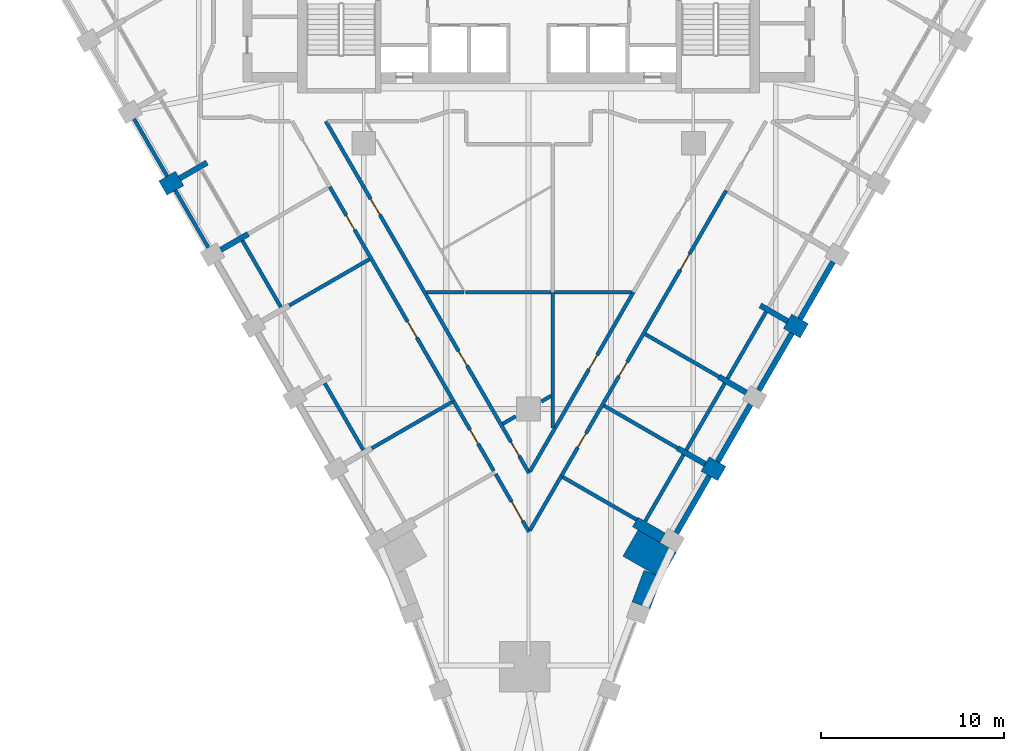
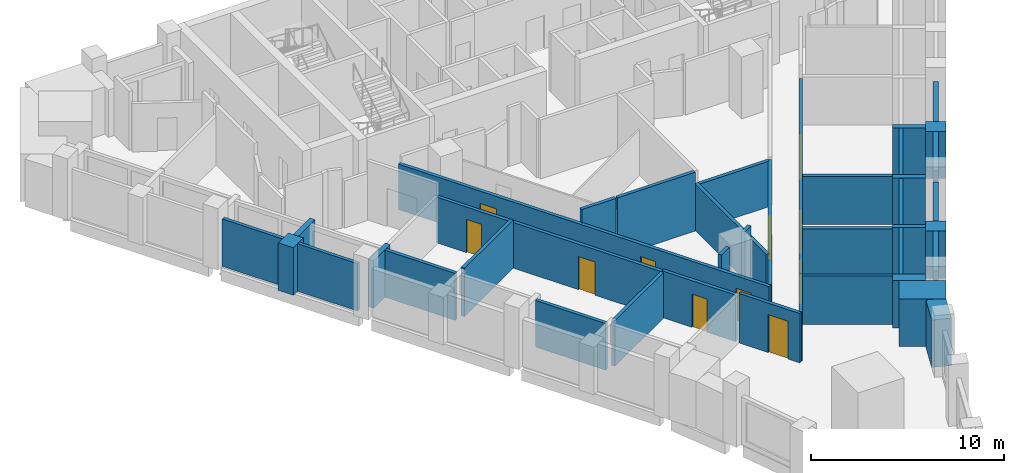
# One storey, part 3 of 10: 40 walls, 11 doors, 11 openings.
"""IFC4 building model written with IfcOpenShell, lengths in metres."""

import ifcopenshell
import ifcopenshell.guid

model = None  # the IFC model being written
_history = None  # IfcOwnerHistory: only IFC2X3 demands one
_inside = {}  # id of a spatial element -> (the spatial element, [elements in it])
_under = {}  # id of a project, library or spatial element -> (it, [spatial elements below it])
_declared = {}  # id of a project -> (the project, [libraries it declares])
_typed = {}  # id of a type object -> (the type object, [elements of that type])
_made_of = {}  # id of a material, layer set ... -> (it, [elements and type objects made of it])


def new_model(schema):
    """Start an empty IFC model of exactly this schema.

    Asked for "IFC4X3", IfcOpenShell would pick the latest addendum, in which some entities
    have other attributes; the version numbers below select the first issue.
    IFC2X3 requires an IfcOwnerHistory on every rooted entity: one is made here for all.
    """
    global model, _history
    if schema == "IFC4X3":
        model = ifcopenshell.file(schema_version=(4, 3, 0, 0))
    else:
        model = ifcopenshell.file(schema=schema)
    _inside.clear()
    _under.clear()
    _declared.clear()
    _typed.clear()
    _made_of.clear()
    _history = None
    if model.schema == "IFC2X3":
        org = make("IfcOrganization", Name="unknown")
        user = make(
            "IfcPersonAndOrganization",
            ThePerson=make("IfcPerson", FamilyName="unknown"),
            TheOrganization=org,
        )
        app = make(
            "IfcApplication",
            ApplicationDeveloper=org,
            Version="unknown",
            ApplicationFullName="unknown",
            ApplicationIdentifier="unknown",
        )
        _history = make(
            "IfcOwnerHistory",
            OwningUser=user,
            OwningApplication=app,
            ChangeAction="ADDED",
            CreationDate=0,
        )
    return model


def make(cls, **values):
    """One entity of the class cls with the attributes given. An attribute that is None is left unset."""
    return model.create_entity(
        cls, **{name: value for name, value in values.items() if value is not None}
    )


def rooted(cls, **values):
    """An entity with a GlobalId (a new one), such as an element, a storey or a relation."""
    return make(cls, GlobalId=ifcopenshell.guid.new(), OwnerHistory=_history, **values)


def si_unit(unit_type, name, prefix=None):
    """IfcSIUnit, for example si_unit("LENGTHUNIT", "METRE", prefix="MILLI")."""
    return make("IfcSIUnit", UnitType=unit_type, Prefix=prefix, Name=name)


def assignment(units):
    """IfcUnitAssignment: the units of a project."""
    return None if units is None else make("IfcUnitAssignment", Units=units)


def point(xyz):
    """IfcCartesianPoint."""
    return None if xyz is None else make("IfcCartesianPoint", Coordinates=xyz)


def direction(xyz):
    """IfcDirection."""
    return None if xyz is None else make("IfcDirection", DirectionRatios=xyz)


def frame(location, z_axis=None, x_axis=None):
    """IfcAxis2Placement3D, a coordinate frame: its origin and axes. An axis left out is left unset."""
    return make(
        "IfcAxis2Placement3D",
        Location=point(location),
        Axis=direction(z_axis),
        RefDirection=direction(x_axis),
    )


def frame_2d(location, x_axis=None):
    """IfcAxis2Placement2D, a coordinate frame in the plane: its origin and x axis."""
    return make(
        "IfcAxis2Placement2D", Location=point(location), RefDirection=direction(x_axis)
    )


def origin():
    """The frame at (0, 0, 0) with its axes left unset."""
    return frame((0.0, 0.0, 0.0))


def place(relative_to, where):
    """IfcLocalPlacement: puts the frame where relative to a parent placement (None: the world)."""
    return make(
        "IfcLocalPlacement", PlacementRelTo=relative_to, RelativePlacement=where
    )


def context(
    kind, dimensions, precision=None, world=None, true_north=None, identifier=None
):
    """IfcGeometricRepresentationContext, for example the 3D "Model" context."""
    return make(
        "IfcGeometricRepresentationContext",
        ContextIdentifier=identifier,
        ContextType=kind,
        CoordinateSpaceDimension=dimensions,
        Precision=precision,
        WorldCoordinateSystem=world,
        TrueNorth=true_north,
    )


def subcontext(parent, identifier, kind, view, scale=None):
    """IfcGeometricRepresentationSubContext, for example "Body" below "Model"."""
    return make(
        "IfcGeometricRepresentationSubContext",
        ContextIdentifier=identifier,
        ContextType=kind,
        ParentContext=parent,
        TargetScale=scale,
        TargetView=view,
    )


def project(units=None, contexts=None):
    """IfcProject with its units and contexts."""
    return rooted(
        "IfcProject",
        Name="project",
        RepresentationContexts=contexts,
        UnitsInContext=assignment(units),
    )


def spatial(cls, under=None, at=None, **own):
    """A site, building, storey or space (cls), placed at a placement, below another one or the project."""
    s = rooted(cls, ObjectPlacement=at, **own)
    if under is not None:
        _under.setdefault(under.id(), (under, []))[1].append(s)
    return s


def polyline(points):
    """IfcPolyline through the points."""
    return make("IfcPolyline", Points=[point(p) for p in points])


def profile(cls, at=None, kind="AREA", **sizes):
    """A parametric profile (cls). Its sizes go by their IFC names, for example OverallWidth=200.0."""
    return make(cls, ProfileType=kind, Position=at, **sizes)


def rectangle(**sizes):
    """IfcRectangleProfileDef."""
    return profile("IfcRectangleProfileDef", **sizes)


def outline(outer, holes=None, kind="AREA"):
    """IfcArbitraryClosedProfileDef: a profile drawn as a closed curve; with holes, ...WithVoids."""
    if holes is None:
        return make("IfcArbitraryClosedProfileDef", ProfileType=kind, OuterCurve=outer)
    return make(
        "IfcArbitraryProfileDefWithVoids",
        ProfileType=kind,
        OuterCurve=outer,
        InnerCurves=holes,
    )


def extrude(swept, where, along, depth):
    """IfcExtrudedAreaSolid: the profile swept, set in the frame where, extruded along a direction by depth."""
    return make(
        "IfcExtrudedAreaSolid",
        SweptArea=swept,
        Position=where,
        ExtrudedDirection=direction(along),
        Depth=depth,
    )


def shape(context_of_items, identifier, shape_type, items):
    """IfcShapeRepresentation: the items that make up one representation, for example the "Body"."""
    return make(
        "IfcShapeRepresentation",
        ContextOfItems=context_of_items,
        RepresentationIdentifier=identifier,
        RepresentationType=shape_type,
        Items=items,
    )


def material(Name=None, Category=None):
    """IfcMaterial."""
    return make("IfcMaterial", Name=Name, Category=Category)


def layer(
    of_material, thickness, ventilated=None, Name=None, Category=None, Priority=None
):
    """IfcMaterialLayer: one layer of a wall or slab, of a material (None: an air gap)."""
    return make(
        "IfcMaterialLayer",
        Material=of_material,
        LayerThickness=thickness,
        IsVentilated=ventilated,
        Name=Name,
        Category=Category,
        Priority=Priority,
    )


def layer_set(layers, Name=None):
    """IfcMaterialLayerSet."""
    return make("IfcMaterialLayerSet", MaterialLayers=layers, LayerSetName=Name)


def made_of(thing, what):
    """Note that an element or type object is made of a material, layer set ...; save() writes the relation."""
    if what is not None:
        _made_of.setdefault(what.id(), (what, []))[1].append(thing)
    return thing


def type_object(cls, material=None, **own):
    """A type object (cls), such as IfcWallType, which elements share."""
    return made_of(rooted(cls, **own), material)


def element(
    cls,
    number,
    at=None,
    inside=None,
    cuts=None,
    type_object=None,
    material=None,
    context=None,
    identifier="Body",
    shape_type=None,
    held_by="IfcProductDefinitionShape",
    body=None,
    shapes=None,
    **own,
):
    """One element of the class cls, such as IfcWall. Its Tag is "e" and its number.

    at: its placement. inside: the storey or other place that contains it. cuts: it is an
    opening in that element (IfcRelVoidsElement). A single representation is given by context,
    identifier, shape_type and body (its items); several are given by shapes. held_by: the class
    of the entity that holds the representations. save() writes the other relations.
    """
    e = rooted(cls, Tag="e%d" % number, ObjectPlacement=at, **own)
    if body is not None:
        shapes = [shape(context, identifier, shape_type, body)]
    if shapes is not None:
        e.Representation = make(held_by, Representations=shapes)
    if inside is not None:
        _inside.setdefault(inside.id(), (inside, []))[1].append(e)
    if cuts is not None:
        rooted(
            "IfcRelVoidsElement", RelatingBuildingElement=cuts, RelatedOpeningElement=e
        )
    if type_object is not None:
        _typed.setdefault(type_object.id(), (type_object, []))[1].append(e)
    return made_of(e, material)


def fill(opening, filler):
    """IfcRelFillsElement: the door or window that sits in an opening."""
    return rooted(
        "IfcRelFillsElement",
        RelatingOpeningElement=opening,
        RelatedBuildingElement=filler,
    )


def aggregate(whole, parts):
    """IfcRelAggregates: a whole, such as a stair, and the parts it consists of."""
    return rooted("IfcRelAggregates", RelatingObject=whole, RelatedObjects=parts)


def save(model, path):
    """Write the relations noted so far, then the file.

    IfcRelAggregates (storeys below a building ...), IfcRelContainedInSpatialStructure (elements
    in a storey), IfcRelDefinesByType, IfcRelAssociatesMaterial and IfcRelDeclares: one each for
    every whole, place, type object, material and project.
    """
    for whole, parts in _under.values():
        aggregate(whole, parts)
    for where, things in _inside.values():
        rooted(
            "IfcRelContainedInSpatialStructure",
            RelatedElements=things,
            RelatingStructure=where,
        )
    for kind, things in _typed.values():
        rooted("IfcRelDefinesByType", RelatedObjects=things, RelatingType=kind)
    for what, things in _made_of.values():
        rooted("IfcRelAssociatesMaterial", RelatedObjects=things, RelatingMaterial=what)
    for by, libraries in _declared.values():
        rooted("IfcRelDeclares", RelatingContext=by, RelatedDefinitions=libraries)
    model.write(path)


model = new_model("IFC4")

# Units and contexts
model_context = context("Model", 3, precision=1e-05, world=origin(), true_north=direction((0.0, 1.0)))
body_context = subcontext(model_context, "Body", "Model", "MODEL_VIEW")
ifc_project = project(units=[si_unit("LENGTHUNIT", "METRE"), si_unit("AREAUNIT", "SQUARE_METRE"), si_unit("VOLUMEUNIT", "CUBIC_METRE"), si_unit("PLANEANGLEUNIT", "RADIAN"), si_unit("MASSUNIT", "GRAM", prefix="KILO")], contexts=[model_context])

# Site, building, storey
site_placement = place(None, origin())
site = spatial("IfcSite", under=ifc_project, at=site_placement, CompositionType="ELEMENT")
building_placement = place(site_placement, origin())
building = spatial("IfcBuilding", under=site, at=building_placement, Name="Calabash Gate Tower", CompositionType="ELEMENT")
storey_placement = place(building_placement, frame((0.0, 0.0, 148.5)))
storey = spatial("IfcBuildingStorey", under=building, at=storey_placement, Name="L34", CompositionType="ELEMENT", Elevation=148.5)

# Walls
ifc_material_1 = material(Name="Terracotta brick masonry, exposed face", Category="masonry")
ifc_layer_1 = layer(ifc_material_1, 2.425048828125)
ifc_layer_set_1 = layer_set([ifc_layer_1], Name="Brick corner mass wall 2425")
wall_type_1 = type_object("IfcWallType", Name="Brick corner mass wall 2425", PredefinedType="SOLIDWALL", material=ifc_layer_set_1)
wall_1_placement = place(storey_placement, origin())
element("IfcWall", 1, at=wall_1_placement, inside=storey, type_object=wall_type_1, Name="Brick corner pier S09 2", PredefinedType="SOLIDWALL", context=body_context, shape_type="SweptSolid", body=[
    extrude(outline(polyline([(8.0751953125, -19.819091796875), (5.97509765625, -18.6064453125), (5.14990234375, -20.035888671875), (7.25, -21.248291015625), (8.0751953125, -19.819091796875)])), origin(), (0.0, 0.0, 1.0), 3.0),
])
ifc_material_2 = material(Name="Terracotta brick masonry, exposed face", Category="masonry")
ifc_layer_2 = layer(ifc_material_2, 1.050048828125)
ifc_layer_set_2 = layer_set([ifc_layer_2], Name="Brick end wall 1050")
wall_type_2 = type_object("IfcWallType", Name="Brick end wall 1050", PredefinedType="SOLIDWALL", material=ifc_layer_set_2)
for number, where, z_axis, x_axis, name in (
    (2, (-19.959716796875, 0.05615234375, 0.0), (0.0, 0.0, 1.0), (0.865988129768, 0.500064554934, 0.0), "Brick pier S09 SW0.3"),
    (3, (9.640869140625, -15.00732421875, 0.0), (0.0, 0.0, 1.0), (0.866088799389, -0.499890179513, 0.0), "Brick pier S09 SE4.1"),
    (4, (15.05029296875, -7.738037109375, 0.0), (0.0, 0.0, 1.0), (-0.865988129768, 0.500064554934, 0.0), "Brick pier S09 SE4.3"),
):
    element("IfcWall", number, at=place(storey_placement, frame(where, z_axis=z_axis, x_axis=x_axis)), inside=storey, type_object=wall_type_2, Name=name, PredefinedType="SOLIDWALL", context=body_context, shape_type="SweptSolid", body=[
        extrude(rectangle(XDim=1.050048828125, YDim=0.89990234375, at=frame_2d((0.52490234375, 0.0))), origin(), (0.0, 0.0, 1.0), 3.0),
    ])
wall_2_placement = place(storey_placement, origin())
element("IfcWall", 5, at=wall_2_placement, inside=storey, type_object=wall_type_2, Name="Brick end wall S09 3", PredefinedType="SOLIDWALL", context=body_context, shape_type="SweptSolid", body=[
    extrude(outline(polyline([(6.303955078125, -20.80126953125), (5.653564453125, -22.53125), (5.65380859375, -22.53125), (5.65380859375, -22.531005859375), (6.636474609375, -22.900390625), (7.271484375, -21.2109375), (7.25, -21.248291015625), (6.795166015625, -20.98583984375), (6.303955078125, -20.80126953125)])), origin(), (0.0, 0.0, 1.0), 3.0),
])
ifc_material_3 = material(Name="Terracotta brick masonry, exposed face", Category="masonry")
ifc_layer_3 = layer(ifc_material_3, 0.300048828125)
ifc_layer_set_3 = layer_set([ifc_layer_3], Name="Brick infill panel wall 300")
wall_type_3 = type_object("IfcWallType", Name="Brick infill panel wall 300", PredefinedType="SOLIDWALL", material=ifc_layer_set_3)
wall_3_placement = place(storey_placement, frame((8.070556640625, -18.777099609375, 0.0), z_axis=(0.0, 0.0, 1.0), x_axis=(0.500012057535, 0.866018442252, 0.0)))
element("IfcWall", 6, at=wall_3_placement, inside=storey, type_object=wall_type_3, Name="Brick panel S09 SE4.1", PredefinedType="SOLIDWALL", context=body_context, shape_type="SweptSolid", body=[
    extrude(rectangle(XDim=3.60009765625, YDim=0.300048828125, at=frame_2d((1.800048828125, 0.0))), origin(), (0.0, 0.0, 1.0), 3.0),
])
wall_4_placement = place(storey_placement, frame((10.320556640625, -14.8798828125, 0.0), z_axis=(0.0, 0.0, 1.0), x_axis=(0.500012057535, 0.866018442252, 0.0)))
element("IfcWall", 7, at=wall_4_placement, inside=storey, type_object=wall_type_3, Name="Brick panel S09 SE4.2", PredefinedType="SOLIDWALL", context=body_context, shape_type="SweptSolid", body=[
    extrude(rectangle(XDim=3.60009765625, YDim=0.300048828125, at=frame_2d((1.800048828125, 0.0))), origin(), (0.0, 0.0, 1.0), 2.9501953125),
])
for number, where, z_axis, x_axis, name in (
    (8, (12.570556640625, -10.98291015625, 0.0), (0.0, 0.0, 1.0), (0.500012057535, 0.866018442252, 0.0), "Brick panel S09 SE4.3"),
    (9, (14.820556640625, -7.085693359375, 0.0), (0.0, 0.0, 1.0), (0.500012057535, 0.866018442252, 0.0), "Brick panel S09 SE4.4"),
):
    element("IfcWall", number, at=place(storey_placement, frame(where, z_axis=z_axis, x_axis=x_axis)), inside=storey, type_object=wall_type_3, Name=name, PredefinedType="SOLIDWALL", context=body_context, shape_type="SweptSolid", body=[
        extrude(rectangle(XDim=3.60009765625, YDim=0.300048828125, at=frame_2d((1.800048828125, 0.0))), origin(), (0.0, 0.0, 1.0), 3.0),
    ])
ifc_material_4 = material(Name="Terracotta brick masonry, exposed face", Category="masonry")
ifc_layer_4 = layer(ifc_material_4, 0.300048828125)
ifc_layer_set_4 = layer_set([ifc_layer_4], Name="Brick loggia cheek wall 300")
wall_type_4 = type_object("IfcWallType", Name="Brick loggia cheek wall 300", PredefinedType="SOLIDWALL", material=ifc_layer_set_4)
wall_5_placement = place(storey_placement, frame((-19.05029296875, 0.581298828125, 0.0), z_axis=(0.0, 0.0, 1.0), x_axis=(0.866013532718, 0.500020560727, 0.0)))
element("IfcWall", 10, at=wall_5_placement, inside=storey, type_object=wall_type_4, Name="Loggia cheek S09 SW0.3", PredefinedType="SOLIDWALL", context=body_context, shape_type="SweptSolid", body=[
    extrude(rectangle(XDim=1.72509765625, YDim=0.300048828125, at=frame_2d((0.862548828125, 0.0))), origin(), (0.0, 0.0, 1.0), 3.0),
])
wall_6_placement = place(storey_placement, frame((-16.798583984375, -3.31494140625, 0.0), z_axis=(0.0, 0.0, 1.0), x_axis=(0.866010975815, 0.500024989144, 0.0)))
element("IfcWall", 11, at=wall_6_placement, inside=storey, type_object=wall_type_4, Name="Loggia cheek S09 SW0.4", PredefinedType="SOLIDWALL", context=body_context, shape_type="SweptSolid", body=[
    extrude(rectangle(XDim=1.72314453125, YDim=0.300048828125, at=frame_2d((0.861572265625, 0.0))), origin(), (0.0, 0.0, 1.0), 3.0),
])
wall_7_placement = place(storey_placement, frame((7.31591796875, -19.0341796875, 0.0), z_axis=(0.0, 0.0, 1.0), x_axis=(-0.866013532718, 0.500020560727, 0.0)))
element("IfcWall", 12, at=wall_7_placement, inside=storey, type_object=wall_type_4, Name="Loggia cheek S09 SE4.0", PredefinedType="SOLIDWALL", context=body_context, shape_type="SweptSolid", body=[
    extrude(rectangle(XDim=1.72509765625, YDim=0.60009765625, at=frame_2d((0.862548828125, 0.0))), origin(), (0.0, 0.0, 1.0), 3.0),
])
for number, where, z_axis, x_axis, name in (
    (13, (9.640869140625, -15.00732421875, 0.0), (0.0, 0.0, 1.0), (-0.866013532718, 0.500020560727, 0.0), "Loggia cheek S09 SE4.1"),
    (14, (11.890869140625, -11.110107421875, 0.0), (0.0, 0.0, 1.0), (-0.866013532718, 0.500020560727, 0.0), "Loggia cheek S09 SE4.2"),
):
    element("IfcWall", number, at=place(storey_placement, frame(where, z_axis=z_axis, x_axis=x_axis)), inside=storey, type_object=wall_type_4, Name=name, PredefinedType="SOLIDWALL", context=body_context, shape_type="SweptSolid", body=[
        extrude(rectangle(XDim=1.72509765625, YDim=0.300048828125, at=frame_2d((0.862548828125, 0.0))), origin(), (0.0, 0.0, 1.0), 3.0),
    ])
wall_8_placement = place(storey_placement, frame((12.64697265625, -6.3505859375, 0.0), z_axis=(0.0, 0.0, 1.0), x_axis=(0.866074815912, -0.499914405916, 0.0)))
element("IfcWall", 15, at=wall_8_placement, inside=storey, type_object=wall_type_4, Name="Loggia cheek S09 SE4.3", PredefinedType="SOLIDWALL", context=body_context, shape_type="SweptSolid", body=[
    extrude(rectangle(XDim=1.724853515625, YDim=0.300048828125, at=frame_2d((0.8623046875, 0.0))), origin(), (0.0, 0.0, 1.0), 3.0),
])

# Wall, opening, door
ifc_material_5 = material(Name="Gypsum board on steel studs, mineral wool", Category="steel")
ifc_layer_5 = layer(ifc_material_5, 0.199951171875)
ifc_layer_set_5 = layer_set([ifc_layer_5], Name="Partition 200 gypsum board EI 60")
wall_type_5 = type_object("IfcWallType", Name="Partition 200 gypsum board EI 60", PredefinedType="PARTITIONING", material=ifc_layer_set_5)
wall_9_placement = place(storey_placement, frame((-1.7978515625, -15.5546875, 0.0), z_axis=(0.0, 0.0, 1.0), x_axis=(0.500381369408, -0.865805108064, 0.0)))
wall_9 = element("IfcWall", 16, at=wall_9_placement, inside=storey, type_object=wall_type_5, Name="Partition", PredefinedType="PARTITIONING", context=body_context, shape_type="SweptSolid", body=[
    extrude(rectangle(XDim=3.645263671875, YDim=0.199951171875, at=frame_2d((1.82275390625, 0.0))), origin(), (0.0, 0.0, 1.0), 3.1279296875),
])
opening_1_placement = place(wall_9_placement, frame((1.74462890625, 0.0, 0.0)))
opening_1 = element("IfcOpeningElement", 17, at=opening_1_placement, cuts=wall_9, Name="Opening 33-35-016", PredefinedType="OPENING", context=body_context, shape_type="SweptSolid", body=[
    extrude(rectangle(XDim=1.199951171875, YDim=2.39990234375, at=frame_2d((0.60009765625, 1.199951171875))), frame((0.0, 0.10986328125, 0.0), z_axis=(0.0, -1.0, 0.0), x_axis=(1.0, 0.0, 0.0)), (0.0, 0.0, 1.0), 0.219970703125),
])
ifc_material_6 = material(Name="Steel fire door set with fire-resisting glazing", Category="steel")
door_type_1 = type_object("IfcDoorType", Name="OD3 Boardroom door 1200x2400", OperationType="NOTDEFINED", PredefinedType="DOOR", material=ifc_material_6)
door_1_placement = place(opening_1_placement, origin())
door_1 = element("IfcDoor", 18, at=door_1_placement, inside=storey, type_object=door_type_1, Name="Boardroom door", OperationType="SINGLE_SWING_RIGHT", OverallHeight=2.39990234375, OverallWidth=1.199951171875, PredefinedType="DOOR", context=body_context, shape_type="SweptSolid", body=[
    extrude(rectangle(XDim=1.199951171875, YDim=2.39990234375, at=frame_2d((0.60009765625, 1.199951171875))), frame((0.0, 0.02490234375, 0.0), z_axis=(0.0, -1.0, 0.0), x_axis=(1.0, 0.0, 0.0)), (0.0, 0.0, 1.0), 0.050048828125),
])
fill(opening_1, door_1)

# Walls
wall_10_placement = place(storey_placement, frame((1.869384765625, -15.71875, 0.0), z_axis=(0.0, 0.0, 1.0), x_axis=(0.866183837695, -0.499725483956, 0.0)))
element("IfcWall", 19, at=wall_10_placement, inside=storey, type_object=wall_type_5, Name="Partition", PredefinedType="PARTITIONING", context=body_context, shape_type="SweptSolid", body=[
    extrude(rectangle(XDim=4.6494140625, YDim=0.199951171875, at=frame_2d((2.32470703125, 0.0))), origin(), (0.0, 0.0, 1.0), 3.052001953125),
])
wall_11_placement = place(storey_placement, frame((0.076171875, -18.624267578125, 0.0), z_axis=(0.0, 0.0, 1.0), x_axis=(0.500452706258, 0.865763875892, 0.0)))
element("IfcWall", 20, at=wall_11_placement, inside=storey, type_object=wall_type_5, Name="Partition", PredefinedType="PARTITIONING", context=body_context, shape_type="SweptSolid", body=[
    extrude(rectangle(XDim=3.414306640625, YDim=0.199951171875, at=frame_2d((1.70703125, 0.0))), origin(), (0.0, 0.0, 1.0), 3.1279296875),
])

# Wall, opening, door
wall_12_placement = place(storey_placement, frame((0.076171875, -15.423095703125, 0.0), z_axis=(0.0, 0.0, 1.0), x_axis=(0.499393409799, 0.866375335666, 0.0)))
wall_12 = element("IfcWall", 21, at=wall_12_placement, inside=storey, type_object=wall_type_5, Name="Partition", PredefinedType="PARTITIONING", context=body_context, shape_type="SweptSolid", body=[
    extrude(rectangle(XDim=11.30615234375, YDim=0.199951171875, at=frame_2d((5.653076171875, 0.0))), origin(), (0.0, 0.0, 1.0), 2.884033203125),
])
opening_2_placement = place(wall_12_placement, frame((6.455078125, 0.0, 0.0)))
opening_2 = element("IfcOpeningElement", 22, at=opening_2_placement, cuts=wall_12, Name="Opening 33-35-011", PredefinedType="OPENING", context=body_context, shape_type="SweptSolid", body=[
    extrude(rectangle(XDim=0.89990234375, YDim=2.10009765625, at=frame_2d((0.449951171875, 1.050048828125))), frame((0.0, 0.10986328125, 0.0), z_axis=(0.0, -1.0, 0.0), x_axis=(1.0, 0.0, 0.0)), (0.0, 0.0, 1.0), 0.219970703125),
])
ifc_material_7 = material(Name="Steel fire door set with fire-resisting glazing", Category="steel")
door_type_2 = type_object("IfcDoorType", Name="SD3 Store door 900x2100", OperationType="NOTDEFINED", PredefinedType="DOOR", material=ifc_material_7)
door_2_placement = place(opening_2_placement, origin())
door_2 = element("IfcDoor", 23, at=door_2_placement, inside=storey, type_object=door_type_2, Name="Store door", OperationType="SINGLE_SWING_RIGHT", OverallHeight=2.10009765625, OverallWidth=0.89990234375, PredefinedType="DOOR", context=body_context, shape_type="SweptSolid", body=[
    extrude(rectangle(XDim=0.89990234375, YDim=2.10009765625, at=frame_2d((0.449951171875, 1.050048828125))), frame((0.0, 0.02490234375, 0.0), z_axis=(0.0, -1.0, 0.0), x_axis=(1.0, 0.0, 0.0)), (0.0, 0.0, 1.0), 0.050048828125),
])
fill(opening_2, door_2)

wall_13_placement = place(storey_placement, frame((-4.09716796875, -11.572509765625, 0.0), z_axis=(0.0, 0.0, 1.0), x_axis=(0.500013981145, -0.866017331616, 0.0)))
wall_13 = element("IfcWall", 24, at=wall_13_placement, inside=storey, type_object=wall_type_5, Name="Partition", PredefinedType="PARTITIONING", context=body_context, shape_type="SweptSolid", body=[
    extrude(rectangle(XDim=4.397705078125, YDim=0.199951171875, at=frame_2d((2.19873046875, 0.0))), origin(), (0.0, 0.0, 1.0), 2.9501953125),
])
opening_3_placement = place(wall_13_placement, frame((1.798095703125, 0.0, 0.0)))
opening_3 = element("IfcOpeningElement", 25, at=opening_3_placement, cuts=wall_13, Name="Opening 33-35-003", PredefinedType="OPENING", context=body_context, shape_type="SweptSolid", body=[
    extrude(rectangle(XDim=0.89990234375, YDim=2.10009765625, at=frame_2d((0.449951171875, 1.050048828125))), frame((0.0, 0.10986328125, 0.0), z_axis=(0.0, -1.0, 0.0), x_axis=(1.0, 0.0, 0.0)), (0.0, 0.0, 1.0), 0.219970703125),
])
door_3_placement = place(opening_3_placement, origin())
door_3 = element("IfcDoor", 26, at=door_3_placement, inside=storey, type_object=door_type_2, Name="Store door", OperationType="SINGLE_SWING_LEFT", OverallHeight=2.10009765625, OverallWidth=0.89990234375, PredefinedType="DOOR", context=body_context, shape_type="SweptSolid", body=[
    extrude(rectangle(XDim=0.89990234375, YDim=2.10009765625, at=frame_2d((0.449951171875, 1.050048828125))), frame((0.0, 0.02490234375, 0.0), z_axis=(0.0, -1.0, 0.0), x_axis=(1.0, 0.0, 0.0)), (0.0, 0.0, 1.0), 0.050048828125),
])
fill(opening_3, door_3)

# Walls
wall_14_placement = place(storey_placement, frame((-1.412841796875, -12.813720703125, 0.0), z_axis=(0.0, 0.0, 1.0), x_axis=(0.866906303058, 0.498471124258, 0.0)))
element("IfcWall", 27, at=wall_14_placement, inside=storey, type_object=wall_type_5, Name="Partition", PredefinedType="PARTITIONING", context=body_context, shape_type="SweptSolid", body=[
    extrude(rectangle(XDim=0.822265625, YDim=0.199951171875, at=frame_2d((0.4111328125, 0.0))), origin(), (0.0, 0.0, 1.0), 3.72998046875),
])
wall_15_placement = place(storey_placement, frame((4.12109375, -11.818115234375, 0.0), z_axis=(0.0, 0.0, 1.0), x_axis=(0.865845361661, -0.500311712526, 0.0)))
element("IfcWall", 28, at=wall_15_placement, inside=storey, type_object=wall_type_5, Name="Partition", PredefinedType="PARTITIONING", context=body_context, shape_type="SweptSolid", body=[
    extrude(rectangle(XDim=4.64990234375, YDim=0.199951171875, at=frame_2d((2.324951171875, 0.0))), origin(), (0.0, 0.0, 1.0), 2.884033203125),
])
wall_16_placement = place(storey_placement, frame((-8.556396484375, -14.14501953125, 0.0), z_axis=(0.0, 0.0, 1.0), x_axis=(0.866191221831, 0.499712684673, 0.0)))
element("IfcWall", 29, at=wall_16_placement, inside=storey, type_object=wall_type_5, Name="Partition", PredefinedType="PARTITIONING", context=body_context, shape_type="SweptSolid", body=[
    extrude(rectangle(XDim=5.04833984375, YDim=0.199951171875, at=frame_2d((2.524169921875, 0.0))), origin(), (0.0, 0.0, 1.0), 2.884033203125),
])
wall_17_placement = place(storey_placement, frame((0.699951171875, -11.595703125, 0.0), z_axis=(0.0, 0.0, 1.0), x_axis=(0.866015917575, 0.500016430238, 0.0)))
element("IfcWall", 30, at=wall_17_placement, inside=storey, type_object=wall_type_5, Name="Partition", PredefinedType="PARTITIONING", context=body_context, shape_type="SweptSolid", body=[
    extrude(rectangle(XDim=0.623046875, YDim=0.199951171875, at=frame_2d((0.3115234375, 0.0))), origin(), (0.0, 0.0, 1.0), 3.72998046875),
])

# Wall, openings, doors
wall_18_placement = place(storey_placement, frame((-10.84814453125, 0.12060546875, 0.0), z_axis=(0.0, 0.0, 1.0), x_axis=(0.499997969693, -0.866026575979, 0.0)))
wall_18 = element("IfcWall", 31, at=wall_18_placement, inside=storey, type_object=wall_type_5, Name="Partition", PredefinedType="PARTITIONING", context=body_context, shape_type="SweptSolid", body=[
    extrude(rectangle(XDim=13.5, YDim=0.199951171875, at=frame_2d((6.75, 0.0))), origin(), (0.0, 0.0, 1.0), 2.884033203125),
])
opening_4_placement = place(wall_18_placement, frame((1.7998046875, 0.0, 0.0)))
opening_4 = element("IfcOpeningElement", 32, at=opening_4_placement, cuts=wall_18, Name="Opening 33-35-001", PredefinedType="OPENING", context=body_context, shape_type="SweptSolid", body=[
    extrude(rectangle(XDim=0.89990234375, YDim=2.10009765625, at=frame_2d((0.449951171875, 1.050048828125))), frame((0.0, 0.10986328125, 0.0), z_axis=(0.0, -1.0, 0.0), x_axis=(1.0, 0.0, 0.0)), (0.0, 0.0, 1.0), 0.219970703125),
])
opening_5_placement = place(wall_18_placement, frame((8.5, 0.0, 0.0)))
opening_5 = element("IfcOpeningElement", 33, at=opening_5_placement, cuts=wall_18, Name="Opening 33-35-002", PredefinedType="OPENING", context=body_context, shape_type="SweptSolid", body=[
    extrude(rectangle(XDim=1.0, YDim=2.10009765625, at=frame_2d((0.5, 1.050048828125))), frame((0.0, 0.10986328125, 0.0), z_axis=(0.0, -1.0, 0.0), x_axis=(1.0, 0.0, 0.0)), (0.0, 0.0, 1.0), 0.219970703125),
])
ifc_material_8 = material(Name="Steel fire door set with fire-resisting glazing", Category="steel")
door_type_3 = type_object("IfcDoorType", Name="LD2 Meeting room door 1000x2100", OperationType="NOTDEFINED", PredefinedType="DOOR", material=ifc_material_8)
door_4_placement = place(opening_5_placement, origin())
door_4 = element("IfcDoor", 34, at=door_4_placement, inside=storey, type_object=door_type_3, Name="Meeting room door", OperationType="SINGLE_SWING_RIGHT", OverallHeight=2.10009765625, OverallWidth=1.0, PredefinedType="DOOR", context=body_context, shape_type="SweptSolid", body=[
    extrude(rectangle(XDim=1.0, YDim=2.10009765625, at=frame_2d((0.5, 1.050048828125))), frame((0.0, 0.02490234375, 0.0), z_axis=(0.0, -1.0, 0.0), x_axis=(1.0, 0.0, 0.0)), (0.0, 0.0, 1.0), 0.050048828125),
])
fill(opening_5, door_4)
ifc_material_9 = material(Name="Painted timber door", Category="wood")
door_type_4 = type_object("IfcDoorType", Name="OD1 Office door 900x2100", OperationType="NOTDEFINED", PredefinedType="DOOR", material=ifc_material_9)
door_5_placement = place(opening_4_placement, origin())
door_5 = element("IfcDoor", 35, at=door_5_placement, inside=storey, type_object=door_type_4, Name="Office door", OperationType="SINGLE_SWING_RIGHT", OverallHeight=2.10009765625, OverallWidth=0.89990234375, PredefinedType="DOOR", context=body_context, shape_type="SweptSolid", body=[
    extrude(rectangle(XDim=0.89990234375, YDim=2.10009765625, at=frame_2d((0.449951171875, 1.050048828125))), frame((0.0, 0.02490234375, 0.0), z_axis=(0.0, -1.0, 0.0), x_axis=(1.0, 0.0, 0.0)), (0.0, 0.0, 1.0), 0.050048828125),
])
fill(opening_4, door_5)

# Walls
wall_19_placement = place(storey_placement, frame((6.37109375, -7.9208984375, 0.0), z_axis=(0.0, 0.0, 1.0), x_axis=(0.865845361661, -0.500311712526, 0.0)))
element("IfcWall", 36, at=wall_19_placement, inside=storey, type_object=wall_type_5, Name="Partition", PredefinedType="PARTITIONING", context=body_context, shape_type="SweptSolid", body=[
    extrude(rectangle(XDim=4.64990234375, YDim=0.199951171875, at=frame_2d((2.324951171875, 0.0))), origin(), (0.0, 0.0, 1.0), 3.052001953125),
])
wall_20_placement = place(storey_placement, frame((-5.577392578125, -5.627197265625, 0.0), z_axis=(0.0, 0.0, 1.0), x_axis=(1.0, 0.0, 0.0)))
element("IfcWall", 37, at=wall_20_placement, inside=storey, type_object=wall_type_5, Name="Partition", PredefinedType="PARTITIONING", context=body_context, shape_type="SweptSolid", body=[
    extrude(rectangle(XDim=2.04150390625, YDim=0.199951171875, at=frame_2d((1.020751953125, 0.0))), origin(), (0.0, 0.0, 1.0), 3.72998046875),
])
wall_21_placement = place(storey_placement, frame((-3.434814453125, -5.62890625, 0.0), z_axis=(0.0, 0.0, 1.0), x_axis=(0.999999932729, 0.000366799388, 0.0)))
element("IfcWall", 38, at=wall_21_placement, inside=storey, type_object=wall_type_5, Name="Partition", PredefinedType="PARTITIONING", context=body_context, shape_type="SweptSolid", body=[
    extrude(rectangle(XDim=4.6591796875, YDim=0.199951171875, at=frame_2d((2.32958984375, 0.0))), origin(), (0.0, 0.0, 1.0), 3.72998046875),
])
wall_22_placement = place(storey_placement, frame((1.328125, -13.05078125, 0.0), z_axis=(0.0, 0.0, 1.0), x_axis=(0.0, 1.0, 0.0)))
element("IfcWall", 39, at=wall_22_placement, inside=storey, type_object=wall_type_5, Name="Partition", PredefinedType="PARTITIONING", context=body_context, shape_type="SweptSolid", body=[
    extrude(rectangle(XDim=7.419921875, YDim=0.199951171875, at=frame_2d((3.7099609375, 0.0))), origin(), (0.0, 0.0, 1.0), 2.9501953125),
])
wall_23_placement = place(storey_placement, frame((1.42822265625, -5.630859375, 0.0), z_axis=(0.0, 0.0, 1.0), x_axis=(1.0, 0.0, 0.0)))
element("IfcWall", 40, at=wall_23_placement, inside=storey, type_object=wall_type_5, Name="Partition", PredefinedType="PARTITIONING", context=body_context, shape_type="SweptSolid", body=[
    extrude(rectangle(XDim=4.199462890625, YDim=0.199951171875, at=frame_2d((2.099609375, 0.0))), origin(), (0.0, 0.0, 1.0), 2.884033203125),
])
wall_24_placement = place(storey_placement, frame((-13.056396484375, -6.3505859375, 0.0), z_axis=(0.0, 0.0, 1.0), x_axis=(0.866221803303, 0.49965967166, 0.0)))
element("IfcWall", 41, at=wall_24_placement, inside=storey, type_object=wall_type_5, Name="Partition", PredefinedType="PARTITIONING", context=body_context, shape_type="SweptSolid", body=[
    extrude(rectangle(XDim=5.0498046875, YDim=0.199951171875, at=frame_2d((2.52490234375, 0.0))), origin(), (0.0, 0.0, 1.0), 3.052001953125),
])

# Wall, openings, doors
wall_25_placement = place(storey_placement, frame((1.78515625, -15.667724609375, 0.0), z_axis=(0.0, 0.0, 1.0), x_axis=(0.5000018851, 0.866024315419, 0.0)))
wall_25 = element("IfcWall", 42, at=wall_25_placement, inside=storey, type_object=wall_type_5, Name="Partition", PredefinedType="PARTITIONING", context=body_context, shape_type="SweptSolid", body=[
    extrude(rectangle(XDim=18.0, YDim=0.199951171875, at=frame_2d((9.0, 0.0))), origin(), (0.0, 0.0, 1.0), 2.884033203125),
])
opening_6_placement = place(wall_25_placement, frame((1.7998046875, 0.0, 0.0)))
opening_6 = element("IfcOpeningElement", 43, at=opening_6_placement, cuts=wall_25, Name="Opening 33-35-004", PredefinedType="OPENING", context=body_context, shape_type="SweptSolid", body=[
    extrude(rectangle(XDim=0.89990234375, YDim=2.10009765625, at=frame_2d((0.449951171875, 1.050048828125))), frame((0.0, 0.10986328125, 0.0), z_axis=(0.0, -1.0, 0.0), x_axis=(1.0, 0.0, 0.0)), (0.0, 0.0, 1.0), 0.219970703125),
])
opening_7_placement = place(wall_25_placement, frame((6.300048828125, 0.0, 0.0)))
opening_7 = element("IfcOpeningElement", 44, at=opening_7_placement, cuts=wall_25, Name="Opening 33-35-005", PredefinedType="OPENING", context=body_context, shape_type="SweptSolid", body=[
    extrude(rectangle(XDim=0.89990234375, YDim=2.10009765625, at=frame_2d((0.449951171875, 1.050048828125))), frame((0.0, 0.10986328125, 0.0), z_axis=(0.0, -1.0, 0.0), x_axis=(1.0, 0.0, 0.0)), (0.0, 0.0, 1.0), 0.219970703125),
])
opening_8_placement = place(wall_25_placement, frame((13.0, 0.0, 0.0)))
opening_8 = element("IfcOpeningElement", 45, at=opening_8_placement, cuts=wall_25, Name="Opening 33-35-006", PredefinedType="OPENING", context=body_context, shape_type="SweptSolid", body=[
    extrude(rectangle(XDim=1.0, YDim=2.10009765625, at=frame_2d((0.5, 1.050048828125))), frame((0.0, 0.10986328125, 0.0), z_axis=(0.0, -1.0, 0.0), x_axis=(1.0, 0.0, 0.0)), (0.0, 0.0, 1.0), 0.219970703125),
])
door_6_placement = place(opening_8_placement, origin())
door_6 = element("IfcDoor", 46, at=door_6_placement, inside=storey, type_object=door_type_3, Name="Meeting room door", OperationType="SINGLE_SWING_RIGHT", OverallHeight=2.10009765625, OverallWidth=1.0, PredefinedType="DOOR", context=body_context, shape_type="SweptSolid", body=[
    extrude(rectangle(XDim=1.0, YDim=2.10009765625, at=frame_2d((0.5, 1.050048828125))), frame((0.0, 0.02490234375, 0.0), z_axis=(0.0, -1.0, 0.0), x_axis=(1.0, 0.0, 0.0)), (0.0, 0.0, 1.0), 0.050048828125),
])
fill(opening_8, door_6)
door_7_placement = place(opening_6_placement, origin())
door_7 = element("IfcDoor", 47, at=door_7_placement, inside=storey, type_object=door_type_4, Name="Office door", OperationType="SINGLE_SWING_RIGHT", OverallHeight=2.10009765625, OverallWidth=0.89990234375, PredefinedType="DOOR", context=body_context, shape_type="SweptSolid", body=[
    extrude(rectangle(XDim=0.89990234375, YDim=2.10009765625, at=frame_2d((0.449951171875, 1.050048828125))), frame((0.0, 0.02490234375, 0.0), z_axis=(0.0, -1.0, 0.0), x_axis=(1.0, 0.0, 0.0)), (0.0, 0.0, 1.0), 0.050048828125),
])
fill(opening_6, door_7)
door_8_placement = place(opening_7_placement, origin())
door_8 = element("IfcDoor", 48, at=door_8_placement, inside=storey, type_object=door_type_4, Name="Office door", OperationType="SINGLE_SWING_RIGHT", OverallHeight=2.10009765625, OverallWidth=0.89990234375, PredefinedType="DOOR", context=body_context, shape_type="SweptSolid", body=[
    extrude(rectangle(XDim=0.89990234375, YDim=2.10009765625, at=frame_2d((0.449951171875, 1.050048828125))), frame((0.0, 0.02490234375, 0.0), z_axis=(0.0, -1.0, 0.0), x_axis=(1.0, 0.0, 0.0)), (0.0, 0.0, 1.0), 0.050048828125),
])
fill(opening_7, door_8)

wall_26_placement = place(storey_placement, frame((-11.064453125, 3.69970703125, 0.0), z_axis=(0.0, 0.0, 1.0), x_axis=(0.500140059959, -0.865944525027, 0.0)))
wall_26 = element("IfcWall", 49, at=wall_26_placement, inside=storey, type_object=wall_type_5, Name="Partition", PredefinedType="PARTITIONING", context=body_context, shape_type="SweptSolid", body=[
    extrude(rectangle(XDim=22.181396484375, YDim=0.199951171875, at=frame_2d((11.0908203125, 0.0))), origin(), (0.0, 0.0, 1.0), 2.884033203125),
])
opening_9_placement = place(wall_26_placement, frame((20.205078125, 0.0, 0.0)))
opening_9 = element("IfcOpeningElement", 50, at=opening_9_placement, cuts=wall_26, Name="Opening 33-35-009", PredefinedType="OPENING", context=body_context, shape_type="SweptSolid", body=[
    extrude(rectangle(XDim=0.89990234375, YDim=2.10009765625, at=frame_2d((0.449951171875, 1.050048828125))), frame((0.0, 0.10986328125, 0.0), z_axis=(0.0, -1.0, 0.0), x_axis=(1.0, 0.0, 0.0)), (0.0, 0.0, 1.0), 0.219970703125),
])
opening_10_placement = place(wall_26_placement, frame((14.500244140625, 0.0, 0.0)))
opening_10 = element("IfcOpeningElement", 51, at=opening_10_placement, cuts=wall_26, Name="Opening 33-35-010", PredefinedType="OPENING", context=body_context, shape_type="SweptSolid", body=[
    extrude(rectangle(XDim=0.89990234375, YDim=2.10009765625, at=frame_2d((0.449951171875, 1.050048828125))), frame((0.0, 0.10986328125, 0.0), z_axis=(0.0, -1.0, 0.0), x_axis=(1.0, 0.0, 0.0)), (0.0, 0.0, 1.0), 0.219970703125),
])
opening_11_placement = place(wall_26_placement, frame((4.885986328125, 0.0, 0.0)))
opening_11 = element("IfcOpeningElement", 52, at=opening_11_placement, cuts=wall_26, Name="Opening 33-35-017", PredefinedType="OPENING", context=body_context, shape_type="SweptSolid", body=[
    extrude(rectangle(XDim=1.0, YDim=2.10009765625, at=frame_2d((0.5, 1.050048828125))), frame((0.0, 0.10986328125, 0.0), z_axis=(0.0, -1.0, 0.0), x_axis=(1.0, 0.0, 0.0)), (0.0, 0.0, 1.0), 0.219970703125),
])
door_9_placement = place(opening_9_placement, origin())
door_9 = element("IfcDoor", 53, at=door_9_placement, inside=storey, type_object=door_type_2, Name="Store door", OperationType="SINGLE_SWING_RIGHT", OverallHeight=2.10009765625, OverallWidth=0.89990234375, PredefinedType="DOOR", context=body_context, shape_type="SweptSolid", body=[
    extrude(rectangle(XDim=0.89990234375, YDim=2.10009765625, at=frame_2d((0.449951171875, 1.050048828125))), frame((0.0, 0.02490234375, 0.0), z_axis=(0.0, -1.0, 0.0), x_axis=(1.0, 0.0, 0.0)), (0.0, 0.0, 1.0), 0.050048828125),
])
fill(opening_9, door_9)
door_10_placement = place(opening_10_placement, origin())
door_10 = element("IfcDoor", 54, at=door_10_placement, inside=storey, type_object=door_type_2, Name="Store door", OperationType="SINGLE_SWING_RIGHT", OverallHeight=2.10009765625, OverallWidth=0.89990234375, PredefinedType="DOOR", context=body_context, shape_type="SweptSolid", body=[
    extrude(rectangle(XDim=0.89990234375, YDim=2.10009765625, at=frame_2d((0.449951171875, 1.050048828125))), frame((0.0, 0.02490234375, 0.0), z_axis=(0.0, -1.0, 0.0), x_axis=(1.0, 0.0, 0.0)), (0.0, 0.0, 1.0), 0.050048828125),
])
fill(opening_10, door_10)
ifc_material_10 = material(Name="Steel fire door set with fire-resisting glazing", Category="steel")
door_type_5 = type_object("IfcDoorType", Name="WD3 WC lobby door 1000x2100", OperationType="NOTDEFINED", PredefinedType="DOOR", material=ifc_material_10)
door_11_placement = place(opening_11_placement, origin())
door_11 = element("IfcDoor", 55, at=door_11_placement, inside=storey, type_object=door_type_5, Name="WC lobby door", OperationType="SINGLE_SWING_LEFT", OverallHeight=2.10009765625, OverallWidth=1.0, PredefinedType="DOOR", context=body_context, shape_type="SweptSolid", body=[
    extrude(rectangle(XDim=1.0, YDim=2.10009765625, at=frame_2d((0.5, 1.050048828125))), frame((0.0, 0.02490234375, 0.0), z_axis=(0.0, -1.0, 0.0), x_axis=(1.0, 0.0, 0.0)), (0.0, 0.0, 1.0), 0.050048828125),
])
fill(opening_11, door_11)

# Walls
ifc_material_11 = material(Name="Terracotta brick masonry, perforated", Category="masonry")
ifc_layer_6 = layer(ifc_material_11, 0.199951171875)
ifc_layer_set_6 = layer_set([ifc_layer_6], Name="Terracotta jaali screen A")
wall_type_6 = type_object("IfcWallType", Name="Terracotta jaali screen A", PredefinedType="SOLIDWALL", material=ifc_layer_set_6)
wall_27_placement = place(storey_placement, origin())
element("IfcWall", 56, at=wall_27_placement, inside=storey, type_object=wall_type_6, Name="SCREEN A S09 SW0.3", PredefinedType="SOLIDWALL", context=body_context, shape_type="SweptSolid", body=[
    extrude(outline(polyline([(-19.643310546875, 0.758544921875), (-21.44287109375, 3.87548828125), (-21.6162109375, 3.775390625), (-19.816650390625, 0.658447265625), (-19.643310546875, 0.758544921875)])), origin(), (0.0, 0.0, 1.0), 3.0),
])
wall_28_placement = place(storey_placement, frame((-19.280029296875, -0.071044921875, 0.0), z_axis=(0.0, 0.0, 1.0), x_axis=(0.500012057535, -0.866018442252, 0.0)))
element("IfcWall", 57, at=wall_28_placement, inside=storey, type_object=wall_type_6, Name="SCREEN A S09 SW0.4", PredefinedType="SOLIDWALL", context=body_context, shape_type="SweptSolid", body=[
    extrude(rectangle(XDim=3.60009765625, YDim=0.199951171875, at=frame_2d((1.800048828125, 0.0))), origin(), (0.0, 0.0, 1.0), 3.0),
])
ifc_material_12 = material(Name="Aluminium framed window wall with insulated spandrel", Category="aluminium")
ifc_layer_7 = layer(ifc_material_12, 0.199951171875)
ifc_layer_set_7 = layer_set([ifc_layer_7], Name="Window wall 200")
wall_type_7 = type_object("IfcWallType", Name="Window wall 200", PredefinedType="ELEMENTEDWALL", material=ifc_layer_set_7)
wall_29_placement = place(storey_placement, frame((-15.62109375, -2.808349609375, 0.0), z_axis=(0.0, 0.0, 1.0), x_axis=(0.49998411664, -0.866034573852, 0.0)))
element("IfcWall", 58, at=wall_29_placement, inside=storey, type_object=wall_type_7, Name="Window wall S09 SW0.5", PredefinedType="ELEMENTEDWALL", context=body_context, shape_type="SweptSolid", body=[
    extrude(rectangle(XDim=4.199951171875, YDim=0.199951171875, at=frame_2d((2.10009765625, 0.0))), origin(), (0.0, 0.0, 1.0), 2.9736328125),
])
wall_30_placement = place(storey_placement, frame((-11.12109375, -10.6025390625, 0.0), z_axis=(0.0, 0.0, 1.0), x_axis=(0.49998411664, -0.866034573852, 0.0)))
element("IfcWall", 59, at=wall_30_placement, inside=storey, type_object=wall_type_7, Name="Window wall S09 SW0.7", PredefinedType="ELEMENTEDWALL", context=body_context, shape_type="SweptSolid", body=[
    extrude(rectangle(XDim=4.199951171875, YDim=0.199951171875, at=frame_2d((2.10009765625, 0.0))), origin(), (0.0, 0.0, 1.0), 2.9501953125),
])
wall_31_placement = place(storey_placement, frame((6.361572265625, -18.136962890625, 0.0), z_axis=(0.0, 0.0, 1.0), x_axis=(0.500002543286, 0.866023935413, 0.0)))
element("IfcWall", 60, at=wall_31_placement, inside=storey, type_object=wall_type_7, Name="Window wall S09 SE4.1", PredefinedType="ELEMENTEDWALL", context=body_context, shape_type="SweptSolid", body=[
    extrude(rectangle(XDim=4.2001953125, YDim=0.199951171875, at=frame_2d((2.10009765625, 0.0))), origin(), (0.0, 0.0, 1.0), 3.0),
])
wall_32_placement = place(storey_placement, frame((8.611572265625, -14.23974609375, 0.0), z_axis=(0.0, 0.0, 1.0), x_axis=(0.500027713859, 0.866009402589, 0.0)))
element("IfcWall", 61, at=wall_32_placement, inside=storey, type_object=wall_type_7, Name="Window wall S09 SE4.2", PredefinedType="ELEMENTEDWALL", context=body_context, shape_type="SweptSolid", body=[
    extrude(rectangle(XDim=4.199951171875, YDim=0.199951171875, at=frame_2d((2.10009765625, 0.0))), origin(), (0.0, 0.0, 1.0), 2.9501953125),
])
wall_33_placement = place(storey_placement, frame((10.861572265625, -10.3427734375, 0.0), z_axis=(0.0, 0.0, 1.0), x_axis=(0.500002543286, 0.866023935413, 0.0)))
element("IfcWall", 62, at=wall_33_placement, inside=storey, type_object=wall_type_7, Name="Window wall S09 SE4.3", PredefinedType="ELEMENTEDWALL", context=body_context, shape_type="SweptSolid", body=[
    extrude(rectangle(XDim=4.2001953125, YDim=0.199951171875, at=frame_2d((2.10009765625, 0.0))), origin(), (0.0, 0.0, 1.0), 3.0),
])

save(model, "model.ifc")
